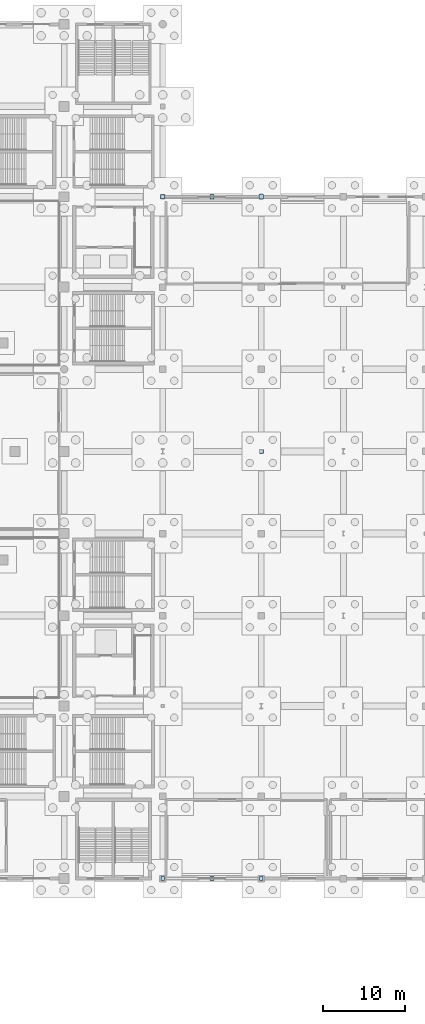
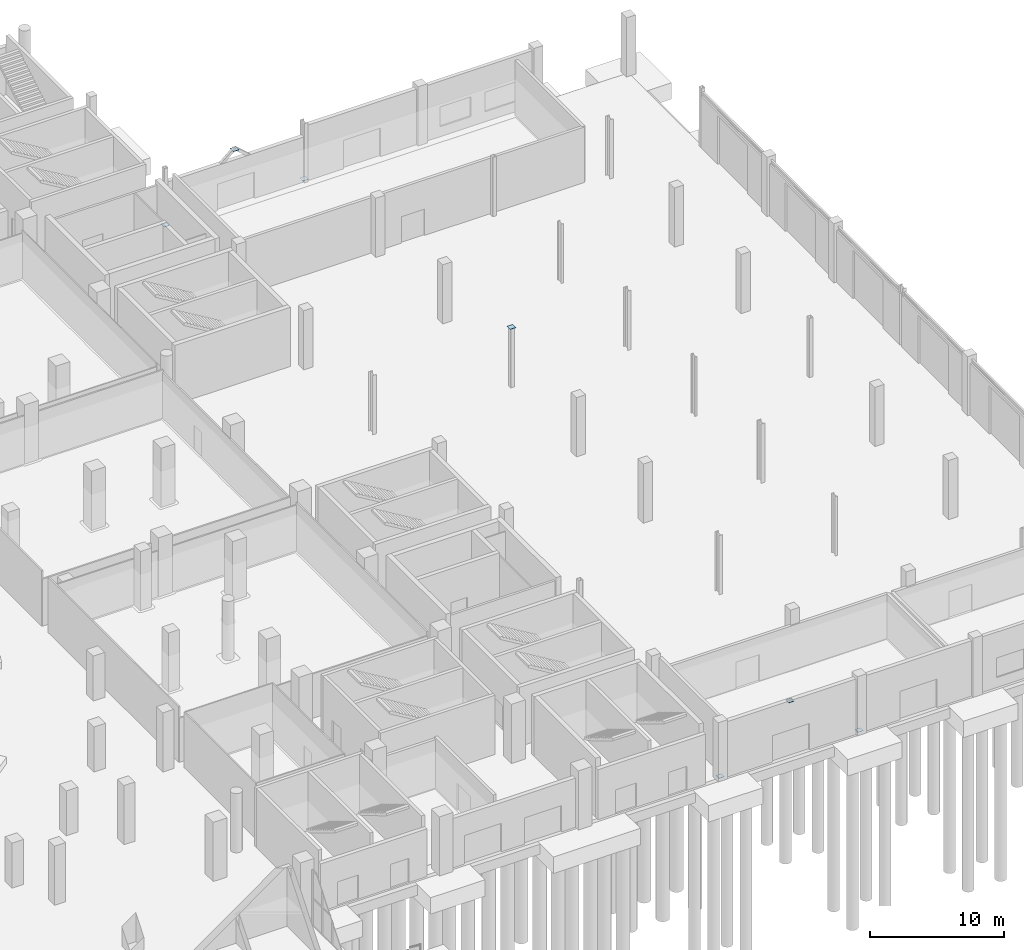
# One storey, part 47 of 70: 7 plates.
"""IFC4 building model written with IfcOpenShell, lengths in metres."""

from ifc_helpers import new_model, si_unit, direction, frame, origin, origin_2d, place, context, subcontext, project, spatial, rectangle, extrude, material, layer, layer_set, type_object, element, save


model = new_model("IFC4")

# Units and contexts
model_context = context("Model", 3, precision=1e-05, world=origin(), true_north=direction((0.0, 1.0)))
body_context = subcontext(model_context, "Body", "Model", "MODEL_VIEW")
ifc_project = project(units=[si_unit("LENGTHUNIT", "METRE"), si_unit("AREAUNIT", "SQUARE_METRE"), si_unit("VOLUMEUNIT", "CUBIC_METRE"), si_unit("PLANEANGLEUNIT", "RADIAN"), si_unit("MASSUNIT", "GRAM", prefix="KILO")], contexts=[model_context])

# Site, building, storey
site_placement = place(None, origin())
site = spatial("IfcSite", under=ifc_project, at=site_placement, CompositionType="ELEMENT")
building_placement = place(site_placement, origin())
building = spatial("IfcBuilding", under=site, at=building_placement, Name="Brinegate Civic Arena", CompositionType="ELEMENT")
storey_placement = place(building_placement, origin())
storey = spatial("IfcBuildingStorey", under=building, at=storey_placement, Name="L00", CompositionType="ELEMENT", Elevation=0.0)

# Plates
ifc_material = material(Name="Steel S355", Category="steel")
ifc_layer_1 = layer(ifc_material, 0.02392578125, Name="Steel S355")
ifc_layer_set_1 = layer_set([ifc_layer_1], Name="Steel S355")
plate_type_1 = type_object("IfcPlateType", Name="PLATE-BASE-480X24", PredefinedType="SHEET", material=ifc_layer_set_1)
plate_placement = place(storey_placement, frame((180.0, 62.0, 5.39697265625), z_axis=(0.0, 0.0, 1.0), x_axis=(1.0, 0.0, 0.0)))
element("IfcPlate", 1, at=plate_placement, inside=storey, type_object=plate_type_1, Name="Welded Steel Column Node Cap Plate CPL-TOP-028", PredefinedType="SHEET", context=body_context, shape_type="SweptSolid", body=[
    extrude(rectangle(XDim=0.47998046875, YDim=0.47998046875, at=origin_2d()), origin(), (0.0, 0.0, 1.0), 0.02392578125),
])
ifc_layer_2 = layer(ifc_material, 0.01806640625, Name="Steel S355")
ifc_layer_set_2 = layer_set([ifc_layer_2], Name="Steel S355")
plate_type_2 = type_object("IfcPlateType", Name="PLATE-GUSSET-460X18", PredefinedType="SHEET", material=ifc_layer_set_2)
for number, where, z_axis, x_axis, name in (
    (2, (174.0, 10.0, 4.930908203125), (0.0, 0.0, 1.0), (1.0, 0.0, 0.0), "Chevron Gusset Plate GPL-06"),
    (3, (168.0, 10.0, 0.140869140625), (0.0, 0.0, 1.0), (1.0, 0.0, 0.0), "Chevron Base Gusset Plate GPL-06-BA"),
    (4, (180.0, 10.0, 0.140869140625), (0.0, 0.0, 1.0), (1.0, 0.0, 0.0), "Chevron Base Gusset Plate GPL-06-BB"),
):
    element("IfcPlate", number, at=place(storey_placement, frame(where, z_axis=z_axis, x_axis=x_axis)), inside=storey, type_object=plate_type_2, Name=name, PredefinedType="SHEET", context=body_context, shape_type="SweptSolid", body=[
        extrude(rectangle(XDim=0.4599609375, YDim=0.4599609375, at=origin_2d()), origin(), (0.0, 0.0, 1.0), 0.01806640625),
    ])
ifc_layer_3 = layer(ifc_material, 0.02001953125, Name="Steel S355")
ifc_layer_set_3 = layer_set([ifc_layer_3], Name="Steel S355")
plate_type_3 = type_object("IfcPlateType", Name="PLATE-GUSSET-500X20", PredefinedType="SHEET", material=ifc_layer_set_3)
for number, where, z_axis, x_axis, name in (
    (5, (174.0, 93.0, 4.929931640625), (0.0, 0.0, 1.0), (1.0, 0.0, 0.0), "Chevron Gusset Plate GPL-07"),
    (6, (168.0, 93.0, 0.139892578125), (0.0, 0.0, 1.0), (1.0, 0.0, 0.0), "Chevron Base Gusset Plate GPL-07-BA"),
    (7, (180.0, 93.0, 0.139892578125), (0.0, 0.0, 1.0), (1.0, 0.0, 0.0), "Chevron Base Gusset Plate GPL-07-BB"),
):
    element("IfcPlate", number, at=place(storey_placement, frame(where, z_axis=z_axis, x_axis=x_axis)), inside=storey, type_object=plate_type_3, Name=name, PredefinedType="SHEET", context=body_context, shape_type="SweptSolid", body=[
        extrude(rectangle(XDim=0.5, YDim=0.5, at=origin_2d()), origin(), (0.0, 0.0, 1.0), 0.02001953125),
    ])

save(model, "model.ifc")
